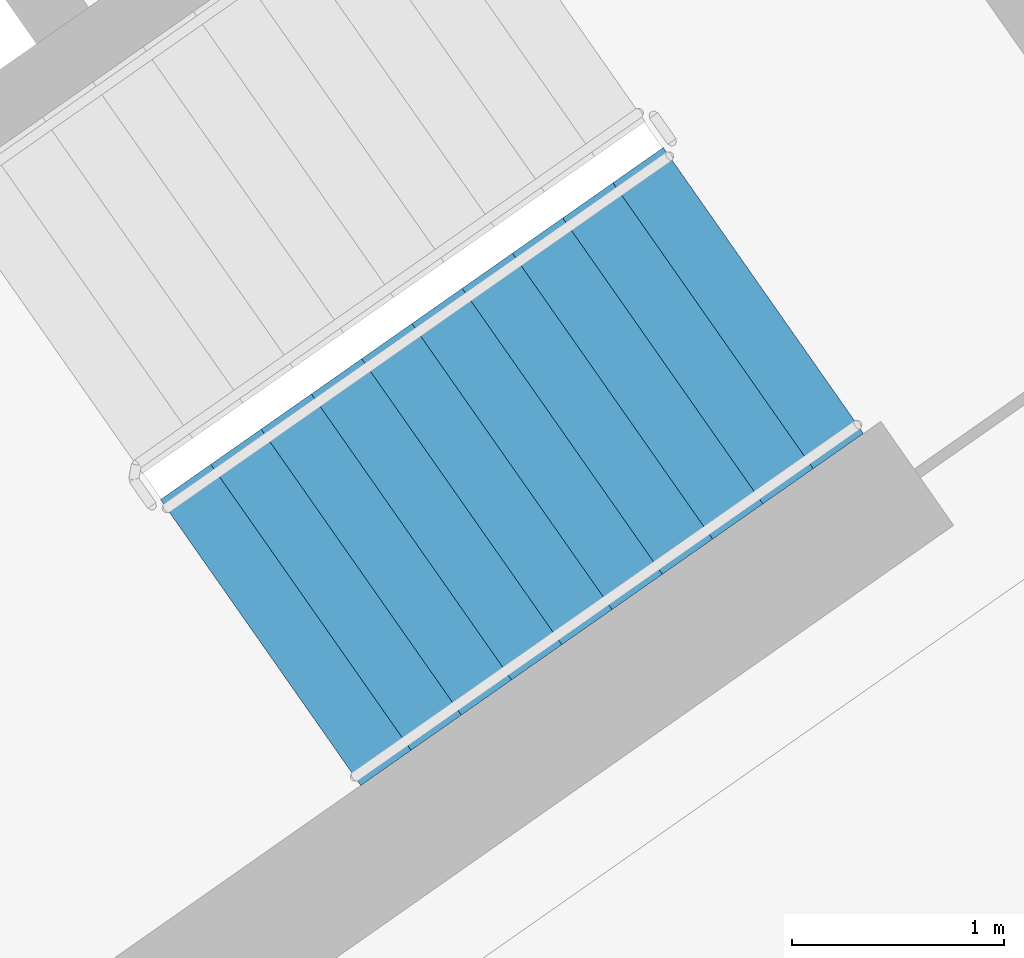
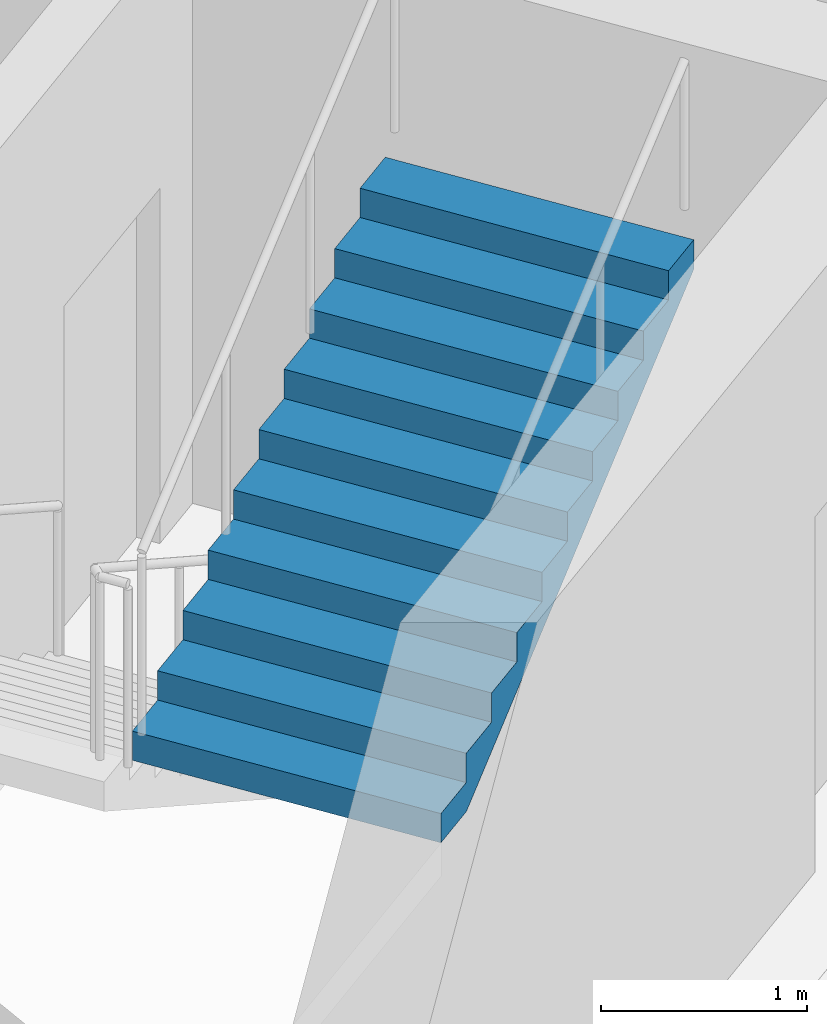
# One storey, part 15 of 27: 1 stair flight, 1 element without a shape of its own.
"""IFC4 building model written with IfcOpenShell, lengths in metres."""

from ifc_helpers import new_model, si_unit, direction, frame, origin, place, context, subcontext, project, spatial, faceted_brep, material, type_object, element, aggregate, save


model = new_model("IFC4")

# Units and contexts
model_context = context("Model", 3, precision=1e-05, world=origin(), true_north=direction((0.0, 1.0)))
body_context = subcontext(model_context, "Body", "Model", "MODEL_VIEW")
ifc_project = project(units=[si_unit("LENGTHUNIT", "METRE"), si_unit("AREAUNIT", "SQUARE_METRE"), si_unit("VOLUMEUNIT", "CUBIC_METRE"), si_unit("PLANEANGLEUNIT", "RADIAN"), si_unit("MASSUNIT", "GRAM", prefix="KILO")], contexts=[model_context])

# Site, building, storey
site_placement = place(None, origin())
site = spatial("IfcSite", under=ifc_project, at=site_placement, CompositionType="ELEMENT")
building_placement = place(site_placement, origin())
building = spatial("IfcBuilding", under=site, at=building_placement, Name="Qamariyya Broadcast Tower", CompositionType="ELEMENT")
storey_placement = place(building_placement, frame((0.0, 0.0, 179.699951171875)))
storey = spatial("IfcBuildingStorey", under=building, at=storey_placement, Name="L42", CompositionType="ELEMENT", Elevation=179.699951171875)

# Stair, stair flight
ifc_material = material(Name="Concrete C50/60", Category="concrete")
stair_type = type_object("IfcStairType", Name="Exit stair 22 risers of 173 mm", PredefinedType="HALF_TURN_STAIR", material=ifc_material)
stair_placement = place(storey_placement, origin())
stair = element("IfcStair", 1, at=stair_placement, inside=storey, type_object=stair_type, Name="L42 Stair E1", PredefinedType="HALF_TURN_STAIR")
stair_flight_type = type_object("IfcStairFlightType", Name="Exit stair flight 11 risers of 173 mm", PredefinedType="STRAIGHT", material=ifc_material)
stair_flight_placement = place(storey_placement, frame((44.693359375, -58.64599609375, 1.900146484375), z_axis=(0.0, 0.0, 1.0), x_axis=(0.819152044289, 0.573576436351, 0.0)))
stair_flight = element("IfcStairFlight", 2, at=stair_flight_placement, type_object=stair_flight_type, Name="ST-E1 flight 2", NumberOfRisers=11, NumberOfTreads=10, PredefinedType="STRAIGHT", RiserHeight=0.172727273, TreadLength=0.29, context=body_context, shape_type="Brep", body=[
    faceted_brep([(0.0, 0.824951171875, 0.0), (0.0, 0.824951171875, 0.172607421875), (0.2900390625, 0.824951171875, 0.172607421875), (0.2900390625, 0.824951171875, 0.345458984375), (0.580078125, 0.824951171875, 0.345458984375), (0.580078125, 0.824951171875, 0.51806640625), (0.8701171875, 0.824951171875, 0.51806640625), (0.8701171875, 0.824951171875, 0.69091796875), (1.159912109375, 0.824951171875, 0.69091796875), (1.159912109375, 0.824951171875, 0.863525390625), (1.449951171875, 0.824951171875, 0.863525390625), (1.449951171875, 0.824951171875, 1.036376953125), (1.739990234375, 0.824951171875, 1.036376953125), (1.739990234375, 0.824951171875, 1.208984375), (2.030029296875, 0.824951171875, 1.208984375), (2.030029296875, 0.824951171875, 1.3818359375), (2.320068359375, 0.824951171875, 1.3818359375), (2.320068359375, 0.824951171875, 1.554443359375), (2.610107421875, 0.824951171875, 1.554443359375), (2.610107421875, 0.824951171875, 1.727294921875), (2.89990234375, 0.824951171875, 1.727294921875), (2.89990234375, 0.824951171875, 1.552734375), (0.29296875, 0.824951171875, 0.0), (0.29296875, -0.824951171875, 0.0), (2.89990234375, -0.824951171875, 1.552734375), (2.89990234375, -0.824951171875, 1.727294921875), (2.610107421875, -0.824951171875, 1.727294921875), (2.610107421875, -0.824951171875, 1.554443359375), (2.320068359375, -0.824951171875, 1.554443359375), (2.320068359375, -0.824951171875, 1.3818359375), (2.030029296875, -0.824951171875, 1.3818359375), (2.030029296875, -0.824951171875, 1.208984375), (1.739990234375, -0.824951171875, 1.208984375), (1.739990234375, -0.824951171875, 1.036376953125), (1.449951171875, -0.824951171875, 1.036376953125), (1.449951171875, -0.824951171875, 0.863525390625), (1.159912109375, -0.824951171875, 0.863525390625), (1.159912109375, -0.824951171875, 0.69091796875), (0.8701171875, -0.824951171875, 0.69091796875), (0.8701171875, -0.824951171875, 0.51806640625), (0.580078125, -0.824951171875, 0.51806640625), (0.580078125, -0.824951171875, 0.345458984375), (0.2900390625, -0.824951171875, 0.345458984375), (0.2900390625, -0.824951171875, 0.172607421875), (0.0, -0.824951171875, 0.172607421875), (0.0, -0.824951171875, 0.0), (0.0, 0.10009765625, 0.0), (0.0, 0.086669921875, 0.0), (0.0, 0.0732421875, 0.0), (0.0, 0.06005859375, 0.0), (0.0, 0.046630859375, 0.0), (0.0, 0.033447265625, 0.0), (0.0, 0.02001953125, 0.0), (0.0, 0.006591796875, 0.0), (0.0, -0.006591796875, 0.0), (0.0, -0.02001953125, 0.0), (0.0, -0.033447265625, 0.0), (0.0, -0.046630859375, 0.0), (0.0, -0.06005859375, 0.0), (0.0, -0.0732421875, 0.0), (0.0, -0.086669921875, 0.0), (0.0, -0.10009765625, 0.0), (0.0, -0.10009765625, 0.172607421875), (0.0, -0.086669921875, 0.172607421875), (0.0, -0.0732421875, 0.172607421875), (0.0, -0.06005859375, 0.172607421875), (0.0, -0.046630859375, 0.172607421875), (0.0, -0.033447265625, 0.172607421875), (0.0, -0.02001953125, 0.172607421875), (0.0, -0.006591796875, 0.172607421875), (0.0, 0.006591796875, 0.172607421875), (0.0, 0.02001953125, 0.172607421875), (0.0, 0.033447265625, 0.172607421875), (0.0, 0.046630859375, 0.172607421875), (0.0, 0.06005859375, 0.172607421875), (0.0, 0.0732421875, 0.172607421875), (0.0, 0.086669921875, 0.172607421875), (0.0, 0.10009765625, 0.172607421875), (0.2900390625, -0.10009765625, 0.172607421875), (0.2900390625, -0.086669921875, 0.172607421875), (0.2900390625, -0.0732421875, 0.172607421875), (0.2900390625, -0.06005859375, 0.172607421875), (0.2900390625, -0.046630859375, 0.172607421875), (0.2900390625, -0.033447265625, 0.172607421875), (0.2900390625, -0.02001953125, 0.172607421875), (0.2900390625, -0.006591796875, 0.172607421875), (0.2900390625, 0.006591796875, 0.172607421875), (0.2900390625, 0.02001953125, 0.172607421875), (0.2900390625, 0.033447265625, 0.172607421875), (0.2900390625, 0.046630859375, 0.172607421875), (0.2900390625, 0.06005859375, 0.172607421875), (0.2900390625, 0.0732421875, 0.172607421875), (0.2900390625, 0.086669921875, 0.172607421875), (0.2900390625, 0.10009765625, 0.172607421875), (0.2900390625, -0.10009765625, 0.345458984375), (0.2900390625, -0.086669921875, 0.345458984375), (0.2900390625, -0.0732421875, 0.345458984375), (0.2900390625, -0.06005859375, 0.345458984375), (0.2900390625, -0.046630859375, 0.345458984375), (0.2900390625, -0.033447265625, 0.345458984375), (0.2900390625, -0.02001953125, 0.345458984375), (0.2900390625, -0.006591796875, 0.345458984375), (0.2900390625, 0.006591796875, 0.345458984375), (0.2900390625, 0.02001953125, 0.345458984375), (0.2900390625, 0.033447265625, 0.345458984375), (0.2900390625, 0.046630859375, 0.345458984375), (0.2900390625, 0.06005859375, 0.345458984375), (0.2900390625, 0.0732421875, 0.345458984375), (0.2900390625, 0.086669921875, 0.345458984375), (0.2900390625, 0.10009765625, 0.345458984375), (0.580078125, -0.10009765625, 0.345458984375), (0.580078125, -0.086669921875, 0.345458984375), (0.580078125, -0.0732421875, 0.345458984375), (0.580078125, -0.06005859375, 0.345458984375), (0.580078125, -0.046630859375, 0.345458984375), (0.580078125, -0.033447265625, 0.345458984375), (0.580078125, -0.02001953125, 0.345458984375), (0.580078125, -0.006591796875, 0.345458984375), (0.580078125, 0.006591796875, 0.345458984375), (0.580078125, 0.02001953125, 0.345458984375), (0.580078125, 0.033447265625, 0.345458984375), (0.580078125, 0.046630859375, 0.345458984375), (0.580078125, 0.06005859375, 0.345458984375), (0.580078125, 0.0732421875, 0.345458984375), (0.580078125, 0.086669921875, 0.345458984375), (0.580078125, 0.10009765625, 0.345458984375), (0.580078125, -0.10009765625, 0.51806640625), (0.580078125, -0.086669921875, 0.51806640625), (0.580078125, -0.0732421875, 0.51806640625), (0.580078125, -0.06005859375, 0.51806640625), (0.580078125, -0.046630859375, 0.51806640625), (0.580078125, -0.033447265625, 0.51806640625), (0.580078125, -0.02001953125, 0.51806640625), (0.580078125, -0.006591796875, 0.51806640625), (0.580078125, 0.006591796875, 0.51806640625), (0.580078125, 0.02001953125, 0.51806640625), (0.580078125, 0.033447265625, 0.51806640625), (0.580078125, 0.046630859375, 0.51806640625), (0.580078125, 0.06005859375, 0.51806640625), (0.580078125, 0.0732421875, 0.51806640625), (0.580078125, 0.086669921875, 0.51806640625), (0.580078125, 0.10009765625, 0.51806640625), (0.8701171875, -0.10009765625, 0.51806640625), (0.8701171875, -0.086669921875, 0.51806640625), (0.8701171875, -0.0732421875, 0.51806640625), (0.8701171875, -0.06005859375, 0.51806640625), (0.8701171875, -0.046630859375, 0.51806640625), (0.8701171875, -0.033447265625, 0.51806640625), (0.8701171875, -0.02001953125, 0.51806640625), (0.8701171875, -0.006591796875, 0.51806640625), (0.8701171875, 0.006591796875, 0.51806640625), (0.8701171875, 0.02001953125, 0.51806640625), (0.8701171875, 0.033447265625, 0.51806640625), (0.8701171875, 0.046630859375, 0.51806640625), (0.8701171875, 0.06005859375, 0.51806640625), (0.8701171875, 0.0732421875, 0.51806640625), (0.8701171875, 0.086669921875, 0.51806640625), (0.8701171875, 0.10009765625, 0.51806640625), (0.8701171875, -0.10009765625, 0.69091796875), (0.8701171875, -0.086669921875, 0.69091796875), (0.8701171875, -0.0732421875, 0.69091796875), (0.8701171875, -0.06005859375, 0.69091796875), (0.8701171875, -0.046630859375, 0.69091796875), (0.8701171875, -0.033447265625, 0.69091796875), (0.8701171875, -0.02001953125, 0.69091796875), (0.8701171875, -0.006591796875, 0.69091796875), (0.8701171875, 0.006591796875, 0.69091796875), (0.8701171875, 0.02001953125, 0.69091796875), (0.8701171875, 0.033447265625, 0.69091796875), (0.8701171875, 0.046630859375, 0.69091796875), (0.8701171875, 0.06005859375, 0.69091796875), (0.8701171875, 0.0732421875, 0.69091796875), (0.8701171875, 0.086669921875, 0.69091796875), (0.8701171875, 0.10009765625, 0.69091796875), (1.159912109375, -0.10009765625, 0.69091796875), (1.159912109375, -0.086669921875, 0.69091796875), (1.159912109375, -0.0732421875, 0.69091796875), (1.159912109375, -0.06005859375, 0.69091796875), (1.159912109375, -0.046630859375, 0.69091796875), (1.159912109375, -0.033447265625, 0.69091796875), (1.159912109375, -0.02001953125, 0.69091796875), (1.159912109375, -0.006591796875, 0.69091796875), (1.159912109375, 0.006591796875, 0.69091796875), (1.159912109375, 0.02001953125, 0.69091796875), (1.159912109375, 0.033447265625, 0.69091796875), (1.159912109375, 0.046630859375, 0.69091796875), (1.159912109375, 0.06005859375, 0.69091796875), (1.159912109375, 0.0732421875, 0.69091796875), (1.159912109375, 0.086669921875, 0.69091796875), (1.159912109375, 0.10009765625, 0.69091796875), (1.159912109375, -0.10009765625, 0.863525390625), (1.159912109375, -0.086669921875, 0.863525390625), (1.159912109375, -0.0732421875, 0.863525390625), (1.159912109375, -0.06005859375, 0.863525390625), (1.159912109375, -0.046630859375, 0.863525390625), (1.159912109375, -0.033447265625, 0.863525390625), (1.159912109375, -0.02001953125, 0.863525390625), (1.159912109375, -0.006591796875, 0.863525390625), (1.159912109375, 0.006591796875, 0.863525390625), (1.159912109375, 0.02001953125, 0.863525390625), (1.159912109375, 0.033447265625, 0.863525390625), (1.159912109375, 0.046630859375, 0.863525390625), (1.159912109375, 0.06005859375, 0.863525390625), (1.159912109375, 0.0732421875, 0.863525390625), (1.159912109375, 0.086669921875, 0.863525390625), (1.159912109375, 0.10009765625, 0.863525390625), (1.449951171875, -0.10009765625, 0.863525390625), (1.449951171875, -0.086669921875, 0.863525390625), (1.449951171875, -0.0732421875, 0.863525390625), (1.449951171875, -0.06005859375, 0.863525390625), (1.449951171875, -0.046630859375, 0.863525390625), (1.449951171875, -0.033447265625, 0.863525390625), (1.449951171875, -0.02001953125, 0.863525390625), (1.449951171875, -0.006591796875, 0.863525390625), (1.449951171875, 0.006591796875, 0.863525390625), (1.449951171875, 0.02001953125, 0.863525390625), (1.449951171875, 0.033447265625, 0.863525390625), (1.449951171875, 0.046630859375, 0.863525390625), (1.449951171875, 0.06005859375, 0.863525390625), (1.449951171875, 0.0732421875, 0.863525390625), (1.449951171875, 0.086669921875, 0.863525390625), (1.449951171875, 0.10009765625, 0.863525390625), (1.449951171875, -0.10009765625, 1.036376953125), (1.449951171875, -0.086669921875, 1.036376953125), (1.449951171875, -0.0732421875, 1.036376953125), (1.449951171875, -0.06005859375, 1.036376953125), (1.449951171875, -0.046630859375, 1.036376953125), (1.449951171875, -0.033447265625, 1.036376953125), (1.449951171875, -0.02001953125, 1.036376953125), (1.449951171875, -0.006591796875, 1.036376953125), (1.449951171875, 0.006591796875, 1.036376953125), (1.449951171875, 0.02001953125, 1.036376953125), (1.449951171875, 0.033447265625, 1.036376953125), (1.449951171875, 0.046630859375, 1.036376953125), (1.449951171875, 0.06005859375, 1.036376953125), (1.449951171875, 0.0732421875, 1.036376953125), (1.449951171875, 0.086669921875, 1.036376953125), (1.449951171875, 0.10009765625, 1.036376953125), (1.739990234375, -0.10009765625, 1.036376953125), (1.739990234375, -0.086669921875, 1.036376953125), (1.739990234375, -0.0732421875, 1.036376953125), (1.739990234375, -0.06005859375, 1.036376953125), (1.739990234375, -0.046630859375, 1.036376953125), (1.739990234375, -0.033447265625, 1.036376953125), (1.739990234375, -0.02001953125, 1.036376953125), (1.739990234375, -0.006591796875, 1.036376953125), (1.739990234375, 0.006591796875, 1.036376953125), (1.739990234375, 0.02001953125, 1.036376953125), (1.739990234375, 0.033447265625, 1.036376953125), (1.739990234375, 0.046630859375, 1.036376953125), (1.739990234375, 0.06005859375, 1.036376953125), (1.739990234375, 0.0732421875, 1.036376953125), (1.739990234375, 0.086669921875, 1.036376953125), (1.739990234375, 0.10009765625, 1.036376953125), (1.739990234375, -0.10009765625, 1.208984375), (1.739990234375, -0.086669921875, 1.208984375), (1.739990234375, -0.0732421875, 1.208984375), (1.739990234375, -0.06005859375, 1.208984375), (1.739990234375, -0.046630859375, 1.208984375), (1.739990234375, -0.033447265625, 1.208984375), (1.739990234375, -0.02001953125, 1.208984375), (1.739990234375, -0.006591796875, 1.208984375), (1.739990234375, 0.006591796875, 1.208984375), (1.739990234375, 0.02001953125, 1.208984375), (1.739990234375, 0.033447265625, 1.208984375), (1.739990234375, 0.046630859375, 1.208984375), (1.739990234375, 0.06005859375, 1.208984375), (1.739990234375, 0.0732421875, 1.208984375), (1.739990234375, 0.086669921875, 1.208984375), (1.739990234375, 0.10009765625, 1.208984375), (2.030029296875, -0.10009765625, 1.208984375), (2.030029296875, -0.086669921875, 1.208984375), (2.030029296875, -0.0732421875, 1.208984375), (2.030029296875, -0.06005859375, 1.208984375), (2.030029296875, -0.046630859375, 1.208984375), (2.030029296875, -0.033447265625, 1.208984375), (2.030029296875, -0.02001953125, 1.208984375), (2.030029296875, -0.006591796875, 1.208984375), (2.030029296875, 0.006591796875, 1.208984375), (2.030029296875, 0.02001953125, 1.208984375), (2.030029296875, 0.033447265625, 1.208984375), (2.030029296875, 0.046630859375, 1.208984375), (2.030029296875, 0.06005859375, 1.208984375), (2.030029296875, 0.0732421875, 1.208984375), (2.030029296875, 0.086669921875, 1.208984375), (2.030029296875, 0.10009765625, 1.208984375), (2.030029296875, -0.10009765625, 1.3818359375), (2.030029296875, -0.086669921875, 1.3818359375), (2.030029296875, -0.0732421875, 1.3818359375), (2.030029296875, -0.06005859375, 1.3818359375), (2.030029296875, -0.046630859375, 1.3818359375), (2.030029296875, -0.033447265625, 1.3818359375), (2.030029296875, -0.02001953125, 1.3818359375), (2.030029296875, -0.006591796875, 1.3818359375), (2.030029296875, 0.006591796875, 1.3818359375), (2.030029296875, 0.02001953125, 1.3818359375), (2.030029296875, 0.033447265625, 1.3818359375), (2.030029296875, 0.046630859375, 1.3818359375), (2.030029296875, 0.06005859375, 1.3818359375), (2.030029296875, 0.0732421875, 1.3818359375), (2.030029296875, 0.086669921875, 1.3818359375), (2.030029296875, 0.10009765625, 1.3818359375), (2.320068359375, -0.10009765625, 1.3818359375), (2.320068359375, -0.086669921875, 1.3818359375), (2.320068359375, -0.0732421875, 1.3818359375), (2.320068359375, -0.06005859375, 1.3818359375), (2.320068359375, -0.046630859375, 1.3818359375), (2.320068359375, -0.033447265625, 1.3818359375), (2.320068359375, -0.02001953125, 1.3818359375), (2.320068359375, -0.006591796875, 1.3818359375), (2.320068359375, 0.006591796875, 1.3818359375), (2.320068359375, 0.02001953125, 1.3818359375), (2.320068359375, 0.033447265625, 1.3818359375), (2.320068359375, 0.046630859375, 1.3818359375), (2.320068359375, 0.06005859375, 1.3818359375), (2.320068359375, 0.0732421875, 1.3818359375), (2.320068359375, 0.086669921875, 1.3818359375), (2.320068359375, 0.10009765625, 1.3818359375), (2.320068359375, -0.10009765625, 1.554443359375), (2.320068359375, -0.086669921875, 1.554443359375), (2.320068359375, -0.0732421875, 1.554443359375), (2.320068359375, -0.06005859375, 1.554443359375), (2.320068359375, -0.046630859375, 1.554443359375), (2.320068359375, -0.033447265625, 1.554443359375), (2.320068359375, -0.02001953125, 1.554443359375), (2.320068359375, -0.006591796875, 1.554443359375), (2.320068359375, 0.006591796875, 1.554443359375), (2.320068359375, 0.02001953125, 1.554443359375), (2.320068359375, 0.033447265625, 1.554443359375), (2.320068359375, 0.046630859375, 1.554443359375), (2.320068359375, 0.06005859375, 1.554443359375), (2.320068359375, 0.0732421875, 1.554443359375), (2.320068359375, 0.086669921875, 1.554443359375), (2.320068359375, 0.10009765625, 1.554443359375), (2.610107421875, -0.10009765625, 1.554443359375), (2.610107421875, -0.086669921875, 1.554443359375), (2.610107421875, -0.0732421875, 1.554443359375), (2.610107421875, -0.06005859375, 1.554443359375), (2.610107421875, -0.046630859375, 1.554443359375), (2.610107421875, -0.033447265625, 1.554443359375), (2.610107421875, -0.02001953125, 1.554443359375), (2.610107421875, -0.006591796875, 1.554443359375), (2.610107421875, 0.006591796875, 1.554443359375), (2.610107421875, 0.02001953125, 1.554443359375), (2.610107421875, 0.033447265625, 1.554443359375), (2.610107421875, 0.046630859375, 1.554443359375), (2.610107421875, 0.06005859375, 1.554443359375), (2.610107421875, 0.0732421875, 1.554443359375), (2.610107421875, 0.086669921875, 1.554443359375), (2.610107421875, 0.10009765625, 1.554443359375), (2.610107421875, -0.10009765625, 1.727294921875), (2.610107421875, -0.086669921875, 1.727294921875), (2.610107421875, -0.0732421875, 1.727294921875), (2.610107421875, -0.06005859375, 1.727294921875), (2.610107421875, -0.046630859375, 1.727294921875), (2.610107421875, -0.033447265625, 1.727294921875), (2.610107421875, -0.02001953125, 1.727294921875), (2.610107421875, -0.006591796875, 1.727294921875), (2.610107421875, 0.006591796875, 1.727294921875), (2.610107421875, 0.02001953125, 1.727294921875), (2.610107421875, 0.033447265625, 1.727294921875), (2.610107421875, 0.046630859375, 1.727294921875), (2.610107421875, 0.06005859375, 1.727294921875), (2.610107421875, 0.0732421875, 1.727294921875), (2.610107421875, 0.086669921875, 1.727294921875), (2.610107421875, 0.10009765625, 1.727294921875), (2.89990234375, -0.10009765625, 1.727294921875), (2.89990234375, -0.086669921875, 1.727294921875), (2.89990234375, -0.0732421875, 1.727294921875), (2.89990234375, -0.06005859375, 1.727294921875), (2.89990234375, -0.046630859375, 1.727294921875), (2.89990234375, -0.033447265625, 1.727294921875), (2.89990234375, -0.02001953125, 1.727294921875), (2.89990234375, -0.006591796875, 1.727294921875), (2.89990234375, 0.006591796875, 1.727294921875), (2.89990234375, 0.02001953125, 1.727294921875), (2.89990234375, 0.033447265625, 1.727294921875), (2.89990234375, 0.046630859375, 1.727294921875), (2.89990234375, 0.06005859375, 1.727294921875), (2.89990234375, 0.0732421875, 1.727294921875), (2.89990234375, 0.086669921875, 1.727294921875), (2.89990234375, 0.10009765625, 1.727294921875), (2.89990234375, -0.10009765625, 1.552734375), (2.89990234375, -0.086669921875, 1.552734375), (2.89990234375, -0.0732421875, 1.552734375), (2.89990234375, -0.06005859375, 1.552734375), (2.89990234375, -0.046630859375, 1.552734375), (2.89990234375, -0.033447265625, 1.552734375), (2.89990234375, -0.02001953125, 1.552734375), (2.89990234375, -0.006591796875, 1.552734375), (2.89990234375, 0.006591796875, 1.552734375), (2.89990234375, 0.02001953125, 1.552734375), (2.89990234375, 0.033447265625, 1.552734375), (2.89990234375, 0.046630859375, 1.552734375), (2.89990234375, 0.06005859375, 1.552734375), (2.89990234375, 0.0732421875, 1.552734375), (2.89990234375, 0.086669921875, 1.552734375), (2.89990234375, 0.10009765625, 1.552734375), (0.29296875, -0.10009765625, 0.0), (0.29296875, -0.086669921875, 0.0), (0.29296875, -0.0732421875, 0.0), (0.29296875, -0.06005859375, 0.0), (0.29296875, -0.046630859375, 0.0), (0.29296875, -0.033447265625, 0.0), (0.29296875, -0.02001953125, 0.0), (0.29296875, -0.006591796875, 0.0), (0.29296875, 0.006591796875, 0.0), (0.29296875, 0.02001953125, 0.0), (0.29296875, 0.033447265625, 0.0), (0.29296875, 0.046630859375, 0.0), (0.29296875, 0.06005859375, 0.0), (0.29296875, 0.0732421875, 0.0), (0.29296875, 0.086669921875, 0.0), (0.29296875, 0.10009765625, 0.0)], [[[0, 1, 2, 3, 4, 5, 6, 7, 8, 9, 10, 11, 12, 13, 14, 15, 16, 17, 18, 19, 20, 21, 22]], [[23, 24, 25, 26, 27, 28, 29, 30, 31, 32, 33, 34, 35, 36, 37, 38, 39, 40, 41, 42, 43, 44, 45]], [[0, 46, 47, 48, 49, 50, 51, 52, 53, 54, 55, 56, 57, 58, 59, 60, 61, 45, 44, 62, 63, 64, 65, 66, 67, 68, 69, 70, 71, 72, 73, 74, 75, 76, 77, 1]], [[1, 77, 76, 75, 74, 73, 72, 71, 70, 69, 68, 67, 66, 65, 64, 63, 62, 44, 43, 78, 79, 80, 81, 82, 83, 84, 85, 86, 87, 88, 89, 90, 91, 92, 93, 2]], [[2, 93, 92, 91, 90, 89, 88, 87, 86, 85, 84, 83, 82, 81, 80, 79, 78, 43, 42, 94, 95, 96, 97, 98, 99, 100, 101, 102, 103, 104, 105, 106, 107, 108, 109, 3]], [[3, 109, 108, 107, 106, 105, 104, 103, 102, 101, 100, 99, 98, 97, 96, 95, 94, 42, 41, 110, 111, 112, 113, 114, 115, 116, 117, 118, 119, 120, 121, 122, 123, 124, 125, 4]], [[4, 125, 124, 123, 122, 121, 120, 119, 118, 117, 116, 115, 114, 113, 112, 111, 110, 41, 40, 126, 127, 128, 129, 130, 131, 132, 133, 134, 135, 136, 137, 138, 139, 140, 141, 5]], [[5, 141, 140, 139, 138, 137, 136, 135, 134, 133, 132, 131, 130, 129, 128, 127, 126, 40, 39, 142, 143, 144, 145, 146, 147, 148, 149, 150, 151, 152, 153, 154, 155, 156, 157, 6]], [[6, 157, 156, 155, 154, 153, 152, 151, 150, 149, 148, 147, 146, 145, 144, 143, 142, 39, 38, 158, 159, 160, 161, 162, 163, 164, 165, 166, 167, 168, 169, 170, 171, 172, 173, 7]], [[7, 173, 172, 171, 170, 169, 168, 167, 166, 165, 164, 163, 162, 161, 160, 159, 158, 38, 37, 174, 175, 176, 177, 178, 179, 180, 181, 182, 183, 184, 185, 186, 187, 188, 189, 8]], [[8, 189, 188, 187, 186, 185, 184, 183, 182, 181, 180, 179, 178, 177, 176, 175, 174, 37, 36, 190, 191, 192, 193, 194, 195, 196, 197, 198, 199, 200, 201, 202, 203, 204, 205, 9]], [[9, 205, 204, 203, 202, 201, 200, 199, 198, 197, 196, 195, 194, 193, 192, 191, 190, 36, 35, 206, 207, 208, 209, 210, 211, 212, 213, 214, 215, 216, 217, 218, 219, 220, 221, 10]], [[10, 221, 220, 219, 218, 217, 216, 215, 214, 213, 212, 211, 210, 209, 208, 207, 206, 35, 34, 222, 223, 224, 225, 226, 227, 228, 229, 230, 231, 232, 233, 234, 235, 236, 237, 11]], [[11, 237, 236, 235, 234, 233, 232, 231, 230, 229, 228, 227, 226, 225, 224, 223, 222, 34, 33, 238, 239, 240, 241, 242, 243, 244, 245, 246, 247, 248, 249, 250, 251, 252, 253, 12]], [[12, 253, 252, 251, 250, 249, 248, 247, 246, 245, 244, 243, 242, 241, 240, 239, 238, 33, 32, 254, 255, 256, 257, 258, 259, 260, 261, 262, 263, 264, 265, 266, 267, 268, 269, 13]], [[13, 269, 268, 267, 266, 265, 264, 263, 262, 261, 260, 259, 258, 257, 256, 255, 254, 32, 31, 270, 271, 272, 273, 274, 275, 276, 277, 278, 279, 280, 281, 282, 283, 284, 285, 14]], [[14, 285, 284, 283, 282, 281, 280, 279, 278, 277, 276, 275, 274, 273, 272, 271, 270, 31, 30, 286, 287, 288, 289, 290, 291, 292, 293, 294, 295, 296, 297, 298, 299, 300, 301, 15]], [[15, 301, 300, 299, 298, 297, 296, 295, 294, 293, 292, 291, 290, 289, 288, 287, 286, 30, 29, 302, 303, 304, 305, 306, 307, 308, 309, 310, 311, 312, 313, 314, 315, 316, 317, 16]], [[16, 317, 316, 315, 314, 313, 312, 311, 310, 309, 308, 307, 306, 305, 304, 303, 302, 29, 28, 318, 319, 320, 321, 322, 323, 324, 325, 326, 327, 328, 329, 330, 331, 332, 333, 17]], [[17, 333, 332, 331, 330, 329, 328, 327, 326, 325, 324, 323, 322, 321, 320, 319, 318, 28, 27, 334, 335, 336, 337, 338, 339, 340, 341, 342, 343, 344, 345, 346, 347, 348, 349, 18]], [[18, 349, 348, 347, 346, 345, 344, 343, 342, 341, 340, 339, 338, 337, 336, 335, 334, 27, 26, 350, 351, 352, 353, 354, 355, 356, 357, 358, 359, 360, 361, 362, 363, 364, 365, 19]], [[19, 365, 364, 363, 362, 361, 360, 359, 358, 357, 356, 355, 354, 353, 352, 351, 350, 26, 25, 366, 367, 368, 369, 370, 371, 372, 373, 374, 375, 376, 377, 378, 379, 380, 381, 20]], [[20, 381, 380, 379, 378, 377, 376, 375, 374, 373, 372, 371, 370, 369, 368, 367, 366, 25, 24, 382, 383, 384, 385, 386, 387, 388, 389, 390, 391, 392, 393, 394, 395, 396, 397, 21]], [[21, 397, 396, 395, 394, 393, 392, 391, 390, 389, 388, 387, 386, 385, 384, 383, 382, 24, 23, 398, 399, 400, 401, 402, 403, 404, 405, 406, 407, 408, 409, 410, 411, 412, 413, 22]], [[22, 413, 412, 411, 410, 409, 408, 407, 406, 405, 404, 403, 402, 401, 400, 399, 398, 23, 45, 61, 60, 59, 58, 57, 56, 55, 54, 53, 52, 51, 50, 49, 48, 47, 46, 0]]]),
])
aggregate(stair, [stair_flight])

save(model, "model.ifc")
